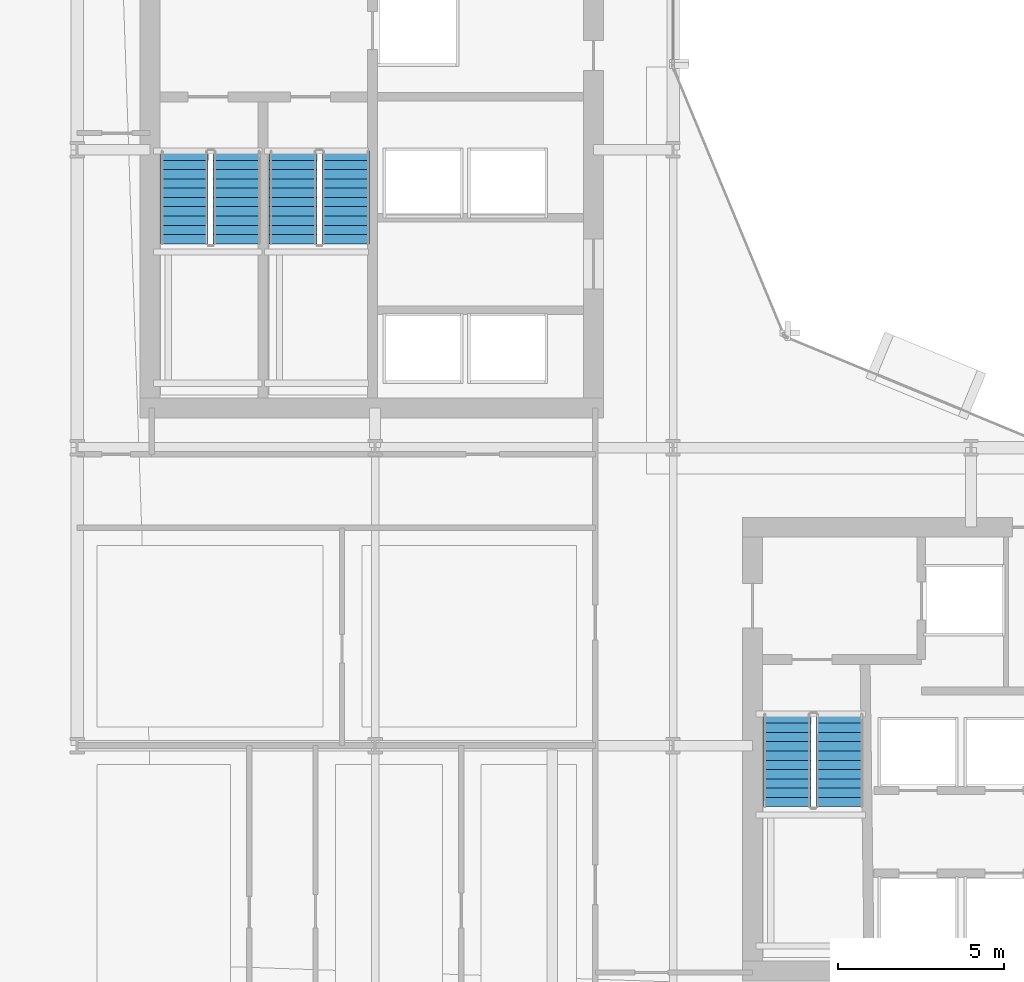
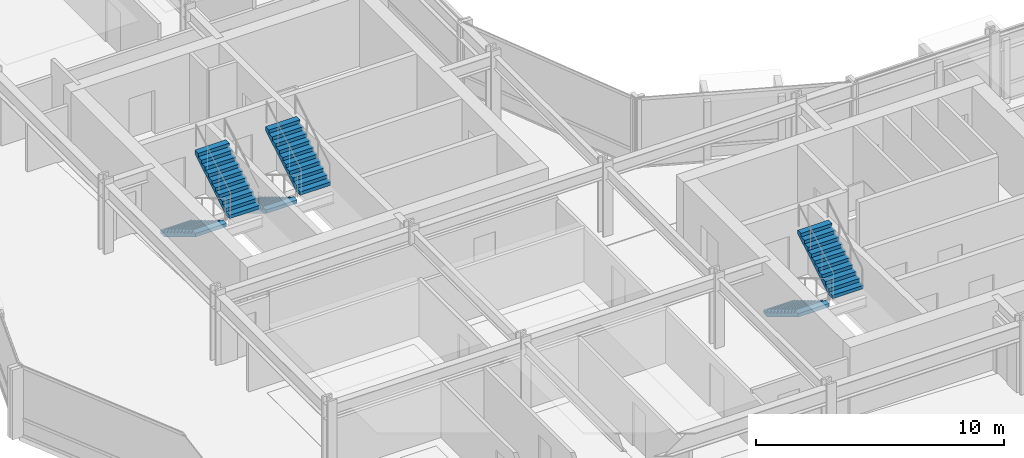
# One storey, part 29 of 34: 6 stair flights, 3 elements without a shape of their own.
"""IFC4 building model written with IfcOpenShell, lengths in metres."""

from ifc_helpers import new_model, si_unit, direction, frame, origin, place, context, subcontext, project, spatial, polyline, outline, extrude, material, layer, layer_set, type_object, element, aggregate, save


model = new_model("IFC4")

# Units and contexts
model_context = context("Model", 3, precision=1e-05, world=origin(), true_north=direction((0.0, 1.0)))
body_context = subcontext(model_context, "Body", "Model", "MODEL_VIEW")
ifc_project = project(units=[si_unit("LENGTHUNIT", "METRE"), si_unit("AREAUNIT", "SQUARE_METRE"), si_unit("VOLUMEUNIT", "CUBIC_METRE"), si_unit("PLANEANGLEUNIT", "RADIAN"), si_unit("MASSUNIT", "GRAM", prefix="KILO")], contexts=[model_context])

# Site, building, storey
site_placement = place(None, origin())
site = spatial("IfcSite", under=ifc_project, at=site_placement, CompositionType="ELEMENT")
building_placement = place(site_placement, origin())
building = spatial("IfcBuilding", under=site, at=building_placement, Name="Solvaryn Broadcast Tower", CompositionType="ELEMENT")
storey_placement = place(building_placement, frame((0.0, 0.0, 54.5)))
storey = spatial("IfcBuildingStorey", under=building, at=storey_placement, Name="L12", CompositionType="ELEMENT", Elevation=54.5)

# Stair, stair flights
ifc_material_1 = material(Name="Concrete f'c 60 MPa", Category="concrete")
stair_type = type_object("IfcStairType", Name="ST-CORE", PredefinedType="HALF_TURN_STAIR", material=ifc_material_1)
stair_1_placement = place(storey_placement, origin())
stair_1 = element("IfcStair", 1, at=stair_1_placement, inside=storey, type_object=stair_type, Name="L12 ST1", PredefinedType="HALF_TURN_STAIR")
ifc_material_2 = material(Name="Concrete f'c 60 MPa", Category="concrete")
ifc_layer = layer(ifc_material_2, 0.159912109375)
ifc_layer_set = layer_set([ifc_layer], Name="SF-CORE")
stair_flight_type = type_object("IfcStairFlightType", Name="SF-CORE", PredefinedType="STRAIGHT", material=ifc_layer_set)
stair_flight_1_placement = place(storey_placement, frame((12.239990234375, 35.9599609375, 0.0), z_axis=(0.0, 0.0, 1.0), x_axis=(0.0, -1.0, 0.0)))
stair_flight_1 = element("IfcStairFlight", 2, at=stair_flight_1_placement, type_object=stair_flight_type, Name="ST1 flight 1", NumberOfRisers=11, NumberOfTreads=10, PredefinedType="STRAIGHT", RiserHeight=0.168181818, TreadLength=0.28, context=body_context, shape_type="SweptSolid", body=[
    extrude(outline(polyline([(0.0, 0.0), (0.0, 0.168212890625), (0.280029296875, 0.168212890625), (0.280029296875, 0.33642578125), (0.56005859375, 0.33642578125), (0.56005859375, 0.504638671875), (0.840087890625, 0.504638671875), (0.840087890625, 0.672607421875), (1.1201171875, 0.672607421875), (1.1201171875, 0.8408203125), (1.39990234375, 0.8408203125), (1.39990234375, 1.009033203125), (1.679931640625, 1.009033203125), (1.679931640625, 1.17724609375), (1.9599609375, 1.17724609375), (1.9599609375, 1.345458984375), (2.239990234375, 1.345458984375), (2.239990234375, 1.513671875), (2.52001953125, 1.513671875), (2.52001953125, 1.681884765625), (2.800048828125, 1.681884765625), (2.800048828125, 1.85009765625), (2.800048828125, 1.5068359375), (0.291015625, 0.0), (0.0, 0.0)])), frame((0.0, 0.719970703125, 0.0), z_axis=(0.0, -1.0, 0.0), x_axis=(1.0, 0.0, 0.0)), (0.0, 0.0, 1.0), 1.43994140625),
])
stair_flight_2_placement = place(storey_placement, frame((13.830078125, 33.159912109375, 1.85009765625), z_axis=(0.0, 0.0, 1.0), x_axis=(0.0, 1.0, 0.0)))
stair_flight_2 = element("IfcStairFlight", 3, at=stair_flight_2_placement, type_object=stair_flight_type, Name="ST1 flight 2", NumberOfRisers=11, NumberOfTreads=10, PredefinedType="STRAIGHT", RiserHeight=0.168181818, TreadLength=0.28, context=body_context, shape_type="SweptSolid", body=[
    extrude(outline(polyline([(0.0, 0.0), (0.0, 0.168212890625), (0.280029296875, 0.168212890625), (0.280029296875, 0.33642578125), (0.56005859375, 0.33642578125), (0.56005859375, 0.504638671875), (0.840087890625, 0.504638671875), (0.840087890625, 0.672607421875), (1.1201171875, 0.672607421875), (1.1201171875, 0.8408203125), (1.39990234375, 0.8408203125), (1.39990234375, 1.009033203125), (1.679931640625, 1.009033203125), (1.679931640625, 1.17724609375), (1.9599609375, 1.17724609375), (1.9599609375, 1.345458984375), (2.239990234375, 1.345458984375), (2.239990234375, 1.513671875), (2.52001953125, 1.513671875), (2.52001953125, 1.681884765625), (2.800048828125, 1.681884765625), (2.800048828125, 1.85009765625), (2.800048828125, 1.5068359375), (0.291015625, 0.0), (0.0, 0.0)])), frame((0.0, 0.719970703125, 0.0), z_axis=(0.0, -1.0, 0.0), x_axis=(1.0, 0.0, 0.0)), (0.0, 0.0, 1.0), 1.43994140625),
])
aggregate(stair_1, [stair_flight_1, stair_flight_2])

stair_2_placement = place(storey_placement, origin())
stair_2 = element("IfcStair", 4, at=stair_2_placement, inside=storey, type_object=stair_type, Name="L12 ST2", PredefinedType="HALF_TURN_STAIR")
stair_flight_3_placement = place(storey_placement, frame((15.52001953125, 35.9599609375, 0.0), z_axis=(0.0, 0.0, 1.0), x_axis=(0.0, -1.0, 0.0)))
stair_flight_3 = element("IfcStairFlight", 5, at=stair_flight_3_placement, type_object=stair_flight_type, Name="ST2 flight 1", NumberOfRisers=11, NumberOfTreads=10, PredefinedType="STRAIGHT", RiserHeight=0.168181818, TreadLength=0.28, context=body_context, shape_type="SweptSolid", body=[
    extrude(outline(polyline([(0.0, 0.0), (0.0, 0.168212890625), (0.280029296875, 0.168212890625), (0.280029296875, 0.33642578125), (0.56005859375, 0.33642578125), (0.56005859375, 0.504638671875), (0.840087890625, 0.504638671875), (0.840087890625, 0.672607421875), (1.1201171875, 0.672607421875), (1.1201171875, 0.8408203125), (1.39990234375, 0.8408203125), (1.39990234375, 1.009033203125), (1.679931640625, 1.009033203125), (1.679931640625, 1.17724609375), (1.9599609375, 1.17724609375), (1.9599609375, 1.345458984375), (2.239990234375, 1.345458984375), (2.239990234375, 1.513671875), (2.52001953125, 1.513671875), (2.52001953125, 1.681884765625), (2.800048828125, 1.681884765625), (2.800048828125, 1.85009765625), (2.800048828125, 1.5068359375), (0.291015625, 0.0), (0.0, 0.0)])), frame((0.0, 0.719970703125, 0.0), z_axis=(0.0, -1.0, 0.0), x_axis=(1.0, 0.0, 0.0)), (0.0, 0.0, 1.0), 1.43994140625),
])
stair_flight_4_placement = place(storey_placement, frame((17.110107421875, 33.159912109375, 1.85009765625), z_axis=(0.0, 0.0, 1.0), x_axis=(0.0, 1.0, 0.0)))
stair_flight_4 = element("IfcStairFlight", 6, at=stair_flight_4_placement, type_object=stair_flight_type, Name="ST2 flight 2", NumberOfRisers=11, NumberOfTreads=10, PredefinedType="STRAIGHT", RiserHeight=0.168181818, TreadLength=0.28, context=body_context, shape_type="SweptSolid", body=[
    extrude(outline(polyline([(0.0, 0.0), (0.0, 0.168212890625), (0.280029296875, 0.168212890625), (0.280029296875, 0.33642578125), (0.56005859375, 0.33642578125), (0.56005859375, 0.504638671875), (0.840087890625, 0.504638671875), (0.840087890625, 0.672607421875), (1.1201171875, 0.672607421875), (1.1201171875, 0.8408203125), (1.39990234375, 0.8408203125), (1.39990234375, 1.009033203125), (1.679931640625, 1.009033203125), (1.679931640625, 1.17724609375), (1.9599609375, 1.17724609375), (1.9599609375, 1.345458984375), (2.239990234375, 1.345458984375), (2.239990234375, 1.513671875), (2.52001953125, 1.513671875), (2.52001953125, 1.681884765625), (2.800048828125, 1.681884765625), (2.800048828125, 1.85009765625), (2.800048828125, 1.5068359375), (0.291015625, 0.0), (0.0, 0.0)])), frame((0.0, 0.719970703125, 0.0), z_axis=(0.0, -1.0, 0.0), x_axis=(1.0, 0.0, 0.0)), (0.0, 0.0, 1.0), 1.43994140625),
])
aggregate(stair_2, [stair_flight_3, stair_flight_4])

stair_3_placement = place(storey_placement, origin())
stair_3 = element("IfcStair", 7, at=stair_3_placement, inside=storey, type_object=stair_type, Name="L12 ST3", PredefinedType="HALF_TURN_STAIR")
stair_flight_5_placement = place(storey_placement, frame((30.43994140625, 18.9599609375, 0.0), z_axis=(0.0, 0.0, 1.0), x_axis=(0.0, -1.0, 0.0)))
stair_flight_5 = element("IfcStairFlight", 8, at=stair_flight_5_placement, type_object=stair_flight_type, Name="ST3 flight 1", NumberOfRisers=11, NumberOfTreads=10, PredefinedType="STRAIGHT", RiserHeight=0.168181818, TreadLength=0.28, context=body_context, shape_type="SweptSolid", body=[
    extrude(outline(polyline([(0.0, 0.0), (0.0, 0.168212890625), (0.280029296875, 0.168212890625), (0.280029296875, 0.33642578125), (0.56005859375, 0.33642578125), (0.56005859375, 0.504638671875), (0.840087890625, 0.504638671875), (0.840087890625, 0.672607421875), (1.1201171875, 0.672607421875), (1.1201171875, 0.8408203125), (1.39990234375, 0.8408203125), (1.39990234375, 1.009033203125), (1.679931640625, 1.009033203125), (1.679931640625, 1.17724609375), (1.9599609375, 1.17724609375), (1.9599609375, 1.345458984375), (2.239990234375, 1.345458984375), (2.239990234375, 1.513671875), (2.52001953125, 1.513671875), (2.52001953125, 1.681884765625), (2.800048828125, 1.681884765625), (2.800048828125, 1.85009765625), (2.800048828125, 1.5068359375), (0.291015625, 0.0), (0.0, 0.0)])), frame((0.0, 0.719970703125, 0.0), z_axis=(0.0, -1.0, 0.0), x_axis=(1.0, 0.0, 0.0)), (0.0, 0.0, 1.0), 1.43994140625),
])
stair_flight_6_placement = place(storey_placement, frame((32.030029296875, 16.159912109375, 1.85009765625), z_axis=(0.0, 0.0, 1.0), x_axis=(0.0, 1.0, 0.0)))
stair_flight_6 = element("IfcStairFlight", 9, at=stair_flight_6_placement, type_object=stair_flight_type, Name="ST3 flight 2", NumberOfRisers=11, NumberOfTreads=10, PredefinedType="STRAIGHT", RiserHeight=0.168181818, TreadLength=0.28, context=body_context, shape_type="SweptSolid", body=[
    extrude(outline(polyline([(0.0, 0.0), (0.0, 0.168212890625), (0.280029296875, 0.168212890625), (0.280029296875, 0.33642578125), (0.56005859375, 0.33642578125), (0.56005859375, 0.504638671875), (0.840087890625, 0.504638671875), (0.840087890625, 0.672607421875), (1.1201171875, 0.672607421875), (1.1201171875, 0.8408203125), (1.39990234375, 0.8408203125), (1.39990234375, 1.009033203125), (1.679931640625, 1.009033203125), (1.679931640625, 1.17724609375), (1.9599609375, 1.17724609375), (1.9599609375, 1.345458984375), (2.239990234375, 1.345458984375), (2.239990234375, 1.513671875), (2.52001953125, 1.513671875), (2.52001953125, 1.681884765625), (2.800048828125, 1.681884765625), (2.800048828125, 1.85009765625), (2.800048828125, 1.5068359375), (0.291015625, 0.0), (0.0, 0.0)])), frame((0.0, 0.719970703125, 0.0), z_axis=(0.0, -1.0, 0.0), x_axis=(1.0, 0.0, 0.0)), (0.0, 0.0, 1.0), 1.43994140625),
])
aggregate(stair_3, [stair_flight_5, stair_flight_6])

save(model, "model.ifc")
